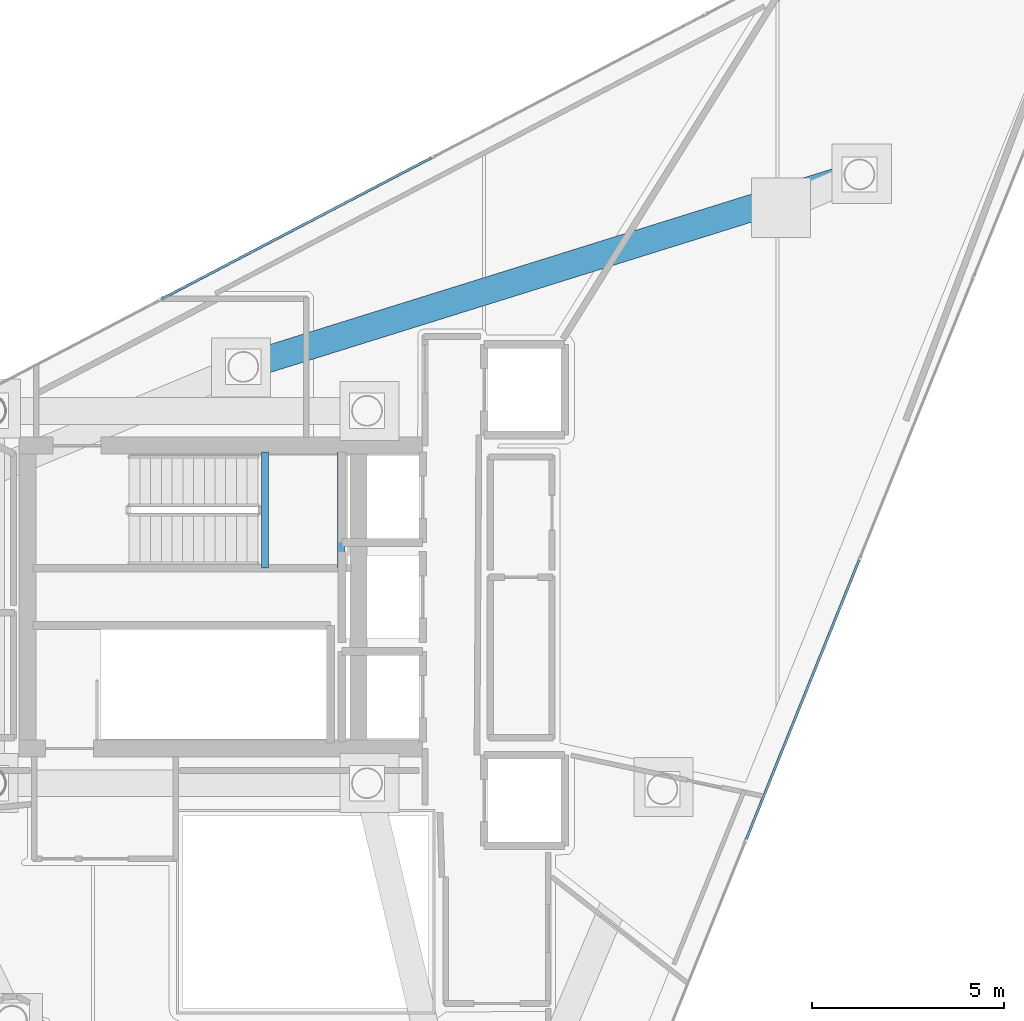
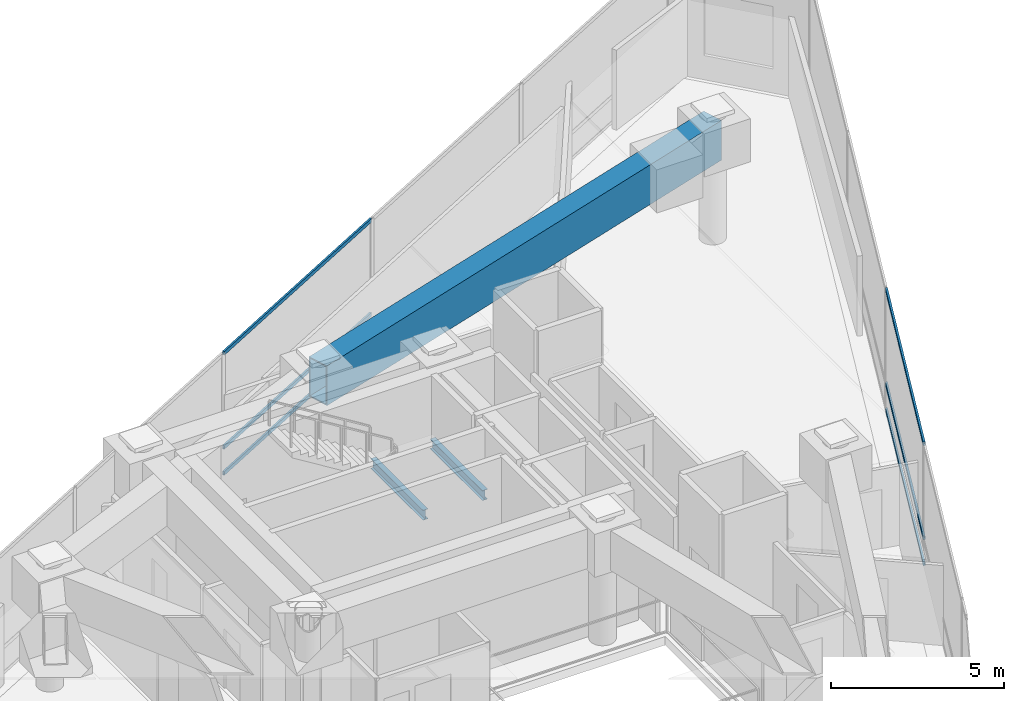
# One storey, part 9 of 17: 6 members, 3 beams, 2 elements without a shape of their own.
"""IFC4 building model written with IfcOpenShell, lengths in metres."""

from ifc_helpers import new_model, si_unit, direction, frame, origin, origin_2d, place, context, subcontext, project, spatial, hollow_rectangle, i_section, extrude, material, layer, layer_set, material_profile, profile_set, type_object, element, aggregate, save


model = new_model("IFC4")

# Units and contexts
model_context = context("Model", 3, precision=1e-05, world=origin(), true_north=direction((0.0, 1.0)))
body_context = subcontext(model_context, "Body", "Model", "MODEL_VIEW")
ifc_project = project(units=[si_unit("LENGTHUNIT", "METRE"), si_unit("AREAUNIT", "SQUARE_METRE"), si_unit("VOLUMEUNIT", "CUBIC_METRE"), si_unit("PLANEANGLEUNIT", "RADIAN"), si_unit("MASSUNIT", "GRAM", prefix="KILO")], contexts=[model_context])

# Site, building, storey
site_placement = place(None, origin())
site = spatial("IfcSite", under=ifc_project, at=site_placement, CompositionType="ELEMENT")
building_placement = place(site_placement, origin())
building = spatial("IfcBuilding", under=site, at=building_placement, Name="Qianvela Tower", CompositionType="ELEMENT")
storey_placement = place(building_placement, frame((0.0, 0.0, 351.800048828125)))
storey = spatial("IfcBuildingStorey", under=building, at=storey_placement, Name="L91", CompositionType="ELEMENT", Elevation=351.800048828125)

# Beams
ifc_material_1 = material(Name="Steel Q355B", Category="steel")
ifc_material_profile_1 = material_profile(ifc_material_1, i_section(OverallWidth=0.175048828125, OverallDepth=0.35009765625, WebThickness=0.007080078125, FlangeThickness=0.010986328125, at=origin_2d()), Name="HN350x175x7x11")
ifc_profile_set_1 = profile_set([ifc_material_profile_1], Name="Steel Q355B")
beam_type_1 = type_object("IfcBeamType", Name="BM-HN350-JOIST", PredefinedType="JOIST", material=ifc_profile_set_1)
for number, where, z_axis, x_axis, name in (
    (1, (35.739990234375, 29.4599609375, 1.875), (0.0, 1.0, 0.0), (-1.0, 0.0, 0.0), "L91 Stair ST-1 Landing Support Beam 1.1"),
    (2, (37.719970703125, 29.4599609375, 1.875), (0.0, 1.0, 0.0), (-1.0, 0.0, 0.0), "L91 Stair ST-1 Landing Support Beam 1.2"),
):
    element("IfcBeam", number, at=place(storey_placement, frame(where, z_axis=z_axis, x_axis=x_axis)), inside=storey, type_object=beam_type_1, Name=name, PredefinedType="JOIST", context=body_context, shape_type="SweptSolid", body=[
        extrude(i_section(OverallWidth=0.175048828125, OverallDepth=0.35009765625, WebThickness=0.007080078125, FlangeThickness=0.010986328125, at=origin_2d()), origin(), (0.0, 0.0, 1.0), 3.02001953125),
    ])
ifc_material_2 = material(Name="Steel Q420GJC", Category="steel")
ifc_material_profile_2 = material_profile(ifc_material_2, hollow_rectangle(XDim=0.699951171875, YDim=1.39990234375, WallThickness=0.0400390625, at=origin_2d()), Name="TG-BOX-1400x700x40")
ifc_profile_set_2 = profile_set([ifc_material_profile_2], Name="Steel Q420GJC")
beam_type_2 = type_object("IfcBeamType", Name="BM-TG-RAD-1400", PredefinedType="BEAM", material=ifc_profile_set_2)
beam_placement = place(storey_placement, frame((35.177001953125, 34.695068359375, 3.597900390625), z_axis=(0.954525695456, 0.298128657988, 0.0), x_axis=(-0.298128657988, 0.954525695456, 0.0)))
element("IfcBeam", 3, at=beam_placement, inside=storey, type_object=beam_type_2, Name="L91 Radial Column Transfer Girder 1", PredefinedType="BEAM", context=body_context, shape_type="SweptSolid", body=[
    extrude(hollow_rectangle(XDim=0.699951171875, YDim=1.39990234375, WallThickness=0.0400390625, at=origin_2d()), origin(), (0.0, 0.0, 1.0), 16.814697265625),
])

# Curtain wall, members
ifc_material_3 = material(Name="Anodised Architectural Aluminium and Low-E Glass", Category="aluminium")
ifc_layer = layer(ifc_material_3, 0.18994140625)
ifc_layer_set = layer_set([ifc_layer], Name="Anodised Architectural Aluminium and Low-E Glass")
curtain_wall_type = type_object("IfcCurtainWallType", Name="CW-SKYLOBBY", PredefinedType="USERDEFINED", material=ifc_layer_set)
curtain_wall_1_placement = place(storey_placement, origin())
curtain_wall_1 = element("IfcCurtainWall", 4, at=curtain_wall_1_placement, inside=storey, type_object=curtain_wall_type, Name="L91 CW-SKYLOBBY Curtain Wall 02", ObjectType="CURTAIN_WALL_SYSTEM", PredefinedType="USERDEFINED")
ifc_material_4 = material(Name="Anodised Architectural Aluminium 6063-T6", Category="aluminium")
ifc_material_profile_3 = material_profile(ifc_material_4, hollow_rectangle(XDim=0.06494140625, YDim=0.1298828125, WallThickness=0.00439453125, at=origin_2d()), Name="ALU-TRAN-65x130")
ifc_profile_set_3 = profile_set([ifc_material_profile_3], Name="Anodised Architectural Aluminium 6063-T6")
member_type = type_object("IfcMemberType", Name="CW-SKYLOBBY-TRAN", PredefinedType="USERDEFINED", material=ifc_profile_set_3)
member_1_placement = place(storey_placement, frame((40.079833984375, 40.1435546875, 0.032470703125), z_axis=(-0.885898848091, -0.463878465712, 0.0), x_axis=(0.463878465712, -0.885898848091, 0.0)))
member_1 = element("IfcMember", 5, at=member_1_placement, type_object=member_type, Name="CW-7 transom 3.1", ObjectType="TRANSOM", PredefinedType="USERDEFINED", context=body_context, shape_type="SweptSolid", body=[
    extrude(hollow_rectangle(XDim=0.06494140625, YDim=0.1298828125, WallThickness=0.00439453125, at=origin_2d()), origin(), (0.0, 0.0, 1.0), 7.94970703125),
])
member_2_placement = place(storey_placement, frame((40.079833984375, 40.1435546875, 0.949951171875), z_axis=(-0.885898848091, -0.463878465712, 0.0), x_axis=(0.463878465712, -0.885898848091, 0.0)))
member_2 = element("IfcMember", 6, at=member_2_placement, type_object=member_type, Name="CW-7 transom 3.2", ObjectType="TRANSOM", PredefinedType="USERDEFINED", context=body_context, shape_type="SweptSolid", body=[
    extrude(hollow_rectangle(XDim=0.06494140625, YDim=0.1298828125, WallThickness=0.00439453125, at=origin_2d()), origin(), (0.0, 0.0, 1.0), 7.94970703125),
])
member_3_placement = place(storey_placement, frame((40.079833984375, 40.1435546875, 4.267333984375), z_axis=(-0.885898848091, -0.463878465712, 0.0), x_axis=(0.463878465712, -0.885898848091, 0.0)))
member_3 = element("IfcMember", 7, at=member_3_placement, type_object=member_type, Name="CW-7 transom 3.3", ObjectType="TRANSOM", PredefinedType="USERDEFINED", context=body_context, shape_type="SweptSolid", body=[
    extrude(hollow_rectangle(XDim=0.06494140625, YDim=0.1298828125, WallThickness=0.00439453125, at=origin_2d()), origin(), (0.0, 0.0, 1.0), 7.94970703125),
])
aggregate(curtain_wall_1, [member_1, member_2, member_3])

curtain_wall_2_placement = place(storey_placement, origin())
curtain_wall_2 = element("IfcCurtainWall", 8, at=curtain_wall_2_placement, inside=storey, type_object=curtain_wall_type, Name="L91 CW-SKYLOBBY Curtain Wall 06", ObjectType="CURTAIN_WALL_SYSTEM", PredefinedType="USERDEFINED")
member_4_placement = place(storey_placement, frame((48.281005859375, 22.39111328125, 0.032470703125), z_axis=(0.374822760153, 0.927096488221, 0.0), x_axis=(-0.927096488221, 0.374822760153, 0.0)))
member_4 = element("IfcMember", 9, at=member_4_placement, type_object=member_type, Name="CW-7 transom 3.1", ObjectType="TRANSOM", PredefinedType="USERDEFINED", context=body_context, shape_type="SweptSolid", body=[
    extrude(hollow_rectangle(XDim=0.06494140625, YDim=0.1298828125, WallThickness=0.00439453125, at=origin_2d()), origin(), (0.0, 0.0, 1.0), 7.843505859375),
])
member_5_placement = place(storey_placement, frame((48.281005859375, 22.39111328125, 0.949951171875), z_axis=(0.374822760153, 0.927096488221, 0.0), x_axis=(-0.927096488221, 0.374822760153, 0.0)))
member_5 = element("IfcMember", 10, at=member_5_placement, type_object=member_type, Name="CW-7 transom 3.2", ObjectType="TRANSOM", PredefinedType="USERDEFINED", context=body_context, shape_type="SweptSolid", body=[
    extrude(hollow_rectangle(XDim=0.06494140625, YDim=0.1298828125, WallThickness=0.00439453125, at=origin_2d()), origin(), (0.0, 0.0, 1.0), 7.843505859375),
])
member_6_placement = place(storey_placement, frame((48.281005859375, 22.39111328125, 4.267333984375), z_axis=(0.374822760153, 0.927096488221, 0.0), x_axis=(-0.927096488221, 0.374822760153, 0.0)))
member_6 = element("IfcMember", 11, at=member_6_placement, type_object=member_type, Name="CW-7 transom 3.3", ObjectType="TRANSOM", PredefinedType="USERDEFINED", context=body_context, shape_type="SweptSolid", body=[
    extrude(hollow_rectangle(XDim=0.06494140625, YDim=0.1298828125, WallThickness=0.00439453125, at=origin_2d()), origin(), (0.0, 0.0, 1.0), 7.843505859375),
])
aggregate(curtain_wall_2, [member_4, member_5, member_6])

save(model, "model.ifc")
